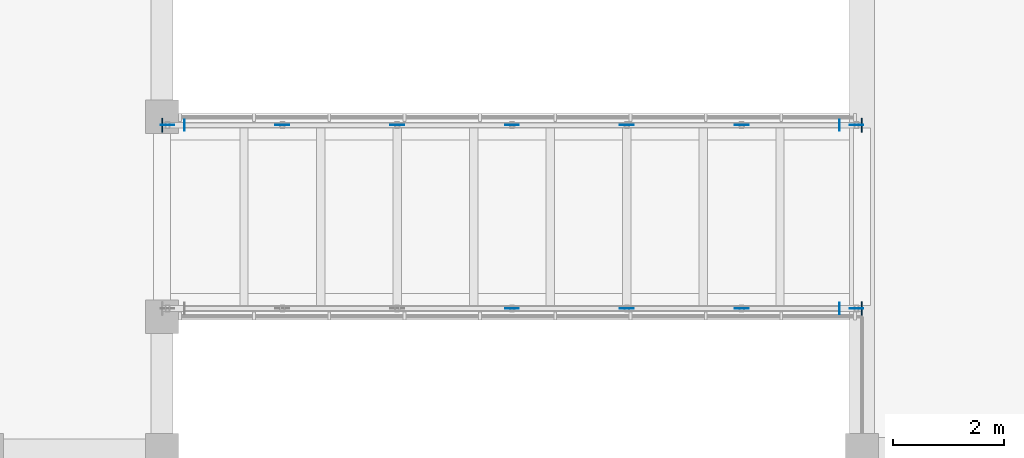
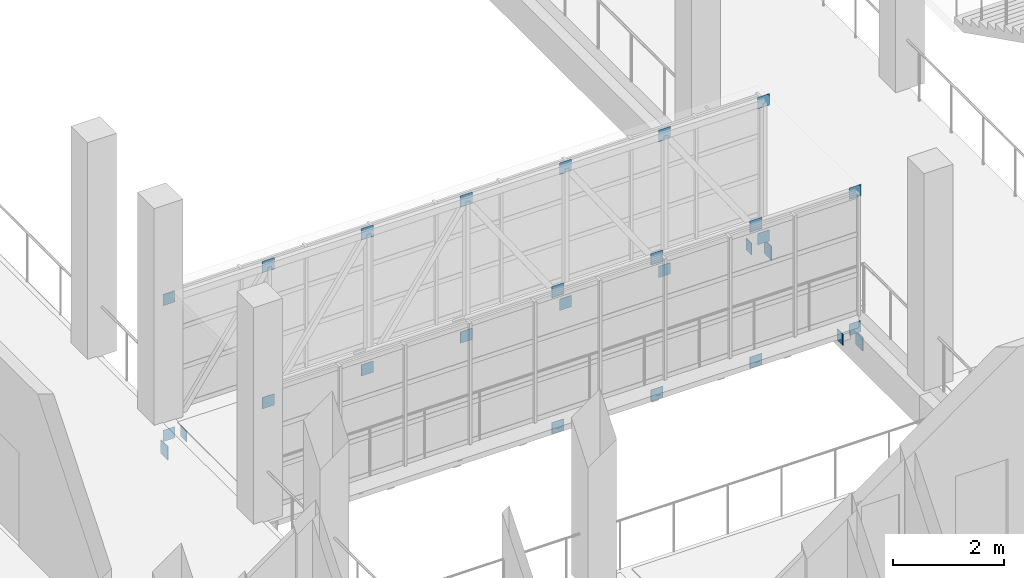
# One storey, part 39 of 86: 28 plates.
"""IFC4 building model written with IfcOpenShell, lengths in metres."""

from ifc_helpers import new_model, si_unit, direction, frame, origin, origin_2d, place, context, subcontext, project, spatial, rectangle, extrude, material, layer, layer_set, type_object, element, save


model = new_model("IFC4")

# Units and contexts
model_context = context("Model", 3, precision=1e-05, world=origin(), true_north=direction((0.0, 1.0)))
body_context = subcontext(model_context, "Body", "Model", "MODEL_VIEW")
ifc_project = project(units=[si_unit("LENGTHUNIT", "METRE"), si_unit("AREAUNIT", "SQUARE_METRE"), si_unit("VOLUMEUNIT", "CUBIC_METRE"), si_unit("PLANEANGLEUNIT", "RADIAN"), si_unit("MASSUNIT", "GRAM", prefix="KILO")], contexts=[model_context])

# Site, building, storey
site_placement = place(None, origin())
site = spatial("IfcSite", under=ifc_project, at=site_placement, CompositionType="ELEMENT")
building_placement = place(site_placement, origin())
building = spatial("IfcBuilding", under=site, at=building_placement, Name="Kiln Court Media Centre", CompositionType="ELEMENT")
storey_placement = place(building_placement, frame((0.0, 0.0, 10.199951171875)))
storey = spatial("IfcBuildingStorey", under=building, at=storey_placement, Name="L02", CompositionType="ELEMENT", Elevation=10.199951171875)

# Plates
ifc_material_1 = material(Name="Steel ASTM A572 Gr 50", Category="steel")
ifc_layer_1 = layer(ifc_material_1, 0.011962890625)
ifc_layer_set_1 = layer_set([ifc_layer_1], Name="Steel ASTM A572 Gr 50 12x200x250 connection plate")
plate_type_1 = type_object("IfcPlateType", Name="Steel ASTM A572 Gr 50 12x200x250 connection plate", PredefinedType="USERDEFINED", material=ifc_layer_set_1)
for number, where, z_axis, x_axis, name in (
    (1, (49.993896484375, 36.14990234375, -0.619873046875), (0.0, 0.0, 1.0), (1.0, 0.0, 0.0), "bridge BR-L02-FOY-11 side truss 1 end 2 seat beam connection plate"),
    (2, (38.2060546875, 39.449951171875, -0.619873046875), (0.0, 0.0, 1.0), (1.0, 0.0, 0.0), "bridge BR-L02-FOY-11 side truss 2 end 1 seat beam connection plate"),
    (3, (49.993896484375, 39.449951171875, -0.619873046875), (0.0, 0.0, 1.0), (1.0, 0.0, 0.0), "bridge BR-L02-FOY-11 side truss 2 end 2 seat beam connection plate"),
):
    element("IfcPlate", number, at=place(storey_placement, frame(where, z_axis=z_axis, x_axis=x_axis)), inside=storey, type_object=plate_type_1, Name=name, ObjectType="CONNECTION PLATE", PredefinedType="USERDEFINED", context=body_context, shape_type="SweptSolid", body=[
        extrude(rectangle(XDim=0.011962890625, YDim=0.199951171875, at=origin_2d()), origin(), (0.0, 0.0, 1.0), 0.25),
    ])
ifc_material_2 = material(Name="Steel ASTM A572 Gr 50", Category="steel")
ifc_layer_2 = layer(ifc_material_2, 0.02001953125)
ifc_layer_set_2 = layer_set([ifc_layer_2], Name="Steel ASTM A572 Gr 50 20x250x300 seat bracket plate")
plate_type_2 = type_object("IfcPlateType", Name="Steel ASTM A572 Gr 50 20x250x300 seat bracket plate", PredefinedType="USERDEFINED", material=ifc_layer_set_2)
for number, where, z_axis, x_axis, name in (
    (4, (50.39501953125, 36.14990234375, -0.8662109375), (0.0, 0.0, 1.0), (1.0, 0.0, 0.0), "bridge BR-L02-FOY-11 side truss 1 end 2 seat bracket plate"),
    (5, (37.804931640625, 39.449951171875, -0.8662109375), (0.0, 0.0, 1.0), (1.0, 0.0, 0.0), "bridge BR-L02-FOY-11 side truss 2 end 1 seat bracket plate"),
    (6, (50.39501953125, 39.449951171875, -0.8662109375), (0.0, 0.0, 1.0), (1.0, 0.0, 0.0), "bridge BR-L02-FOY-11 side truss 2 end 2 seat bracket plate"),
):
    element("IfcPlate", number, at=place(storey_placement, frame(where, z_axis=z_axis, x_axis=x_axis)), inside=storey, type_object=plate_type_2, Name=name, ObjectType="SEAT BRACKET PLATE", PredefinedType="USERDEFINED", context=body_context, shape_type="SweptSolid", body=[
        extrude(rectangle(XDim=0.02001953125, YDim=0.25, at=origin_2d()), origin(), (0.0, 0.0, 1.0), 0.300048828125),
    ])
ifc_material_3 = material(Name="Steel ASTM A572 Gr 50", Category="steel")
ifc_layer_3 = layer(ifc_material_3, 0.010009765625)
ifc_layer_set_3 = layer_set([ifc_layer_3], Name="Steel ASTM A572 Gr 50 250x250x10 connection plate BR")
plate_type_3 = type_object("IfcPlateType", Name="Steel ASTM A572 Gr 50 250x250x10 connection plate BR", PredefinedType="USERDEFINED", material=ifc_layer_set_3)
for number, where, z_axis, x_axis, name in (
    (7, (37.89990234375, 39.449951171875, -0.52490234375), (0.0, 0.0, 1.0), (1.0, 0.0, 0.0), "BR node connection plate"),
    (8, (37.89990234375, 39.449951171875, 2.47509765625), (0.0, 0.0, 1.0), (1.0, 0.0, 0.0), "BR node connection plate"),
    (9, (39.966796875, 39.449951171875, -0.52490234375), (0.0, 0.0, 1.0), (1.0, 0.0, 0.0), "BR node connection plate"),
    (10, (39.966796875, 39.449951171875, 2.47509765625), (0.0, 0.0, 1.0), (1.0, 0.0, 0.0), "BR node connection plate"),
    (11, (42.033203125, 39.449951171875, -0.52490234375), (0.0, 0.0, 1.0), (1.0, 0.0, 0.0), "BR node connection plate"),
    (12, (42.033203125, 39.449951171875, 2.47509765625), (0.0, 0.0, 1.0), (1.0, 0.0, 0.0), "BR node connection plate"),
    (13, (44.10009765625, 36.14990234375, -0.52490234375), (0.0, 0.0, 1.0), (1.0, 0.0, 0.0), "BR node connection plate"),
    (14, (44.10009765625, 36.14990234375, 2.47509765625), (0.0, 0.0, 1.0), (1.0, 0.0, 0.0), "BR node connection plate"),
    (15, (44.10009765625, 39.449951171875, -0.52490234375), (0.0, 0.0, 1.0), (1.0, 0.0, 0.0), "BR node connection plate"),
    (16, (44.10009765625, 39.449951171875, 2.47509765625), (0.0, 0.0, 1.0), (1.0, 0.0, 0.0), "BR node connection plate"),
    (17, (46.166748046875, 36.14990234375, -0.52490234375), (0.0, 0.0, 1.0), (1.0, 0.0, 0.0), "BR node connection plate"),
    (18, (46.166748046875, 36.14990234375, 2.47509765625), (0.0, 0.0, 1.0), (1.0, 0.0, 0.0), "BR node connection plate"),
    (19, (46.166748046875, 39.449951171875, -0.52490234375), (0.0, 0.0, 1.0), (1.0, 0.0, 0.0), "BR node connection plate"),
    (20, (46.166748046875, 39.449951171875, 2.47509765625), (0.0, 0.0, 1.0), (1.0, 0.0, 0.0), "BR node connection plate"),
    (21, (48.2333984375, 36.14990234375, -0.52490234375), (0.0, 0.0, 1.0), (1.0, 0.0, 0.0), "BR node connection plate"),
    (22, (48.2333984375, 36.14990234375, 2.47509765625), (0.0, 0.0, 1.0), (1.0, 0.0, 0.0), "BR node connection plate"),
    (23, (48.2333984375, 39.449951171875, -0.52490234375), (0.0, 0.0, 1.0), (1.0, 0.0, 0.0), "BR node connection plate"),
    (24, (48.2333984375, 39.449951171875, 2.47509765625), (0.0, 0.0, 1.0), (1.0, 0.0, 0.0), "BR node connection plate"),
    (25, (50.300048828125, 36.14990234375, -0.52490234375), (0.0, 0.0, 1.0), (1.0, 0.0, 0.0), "BR node connection plate"),
    (26, (50.300048828125, 36.14990234375, 2.47509765625), (0.0, 0.0, 1.0), (1.0, 0.0, 0.0), "BR node connection plate"),
    (27, (50.300048828125, 39.449951171875, -0.52490234375), (0.0, 0.0, 1.0), (1.0, 0.0, 0.0), "BR node connection plate"),
    (28, (50.300048828125, 39.449951171875, 2.47509765625), (0.0, 0.0, 1.0), (1.0, 0.0, 0.0), "BR node connection plate"),
):
    element("IfcPlate", number, at=place(storey_placement, frame(where, z_axis=z_axis, x_axis=x_axis)), inside=storey, type_object=plate_type_3, Name=name, ObjectType="CONNECTION PLATE", PredefinedType="USERDEFINED", context=body_context, shape_type="SweptSolid", body=[
        extrude(rectangle(XDim=0.25, YDim=0.010009765625, at=origin_2d()), origin(), (0.0, 0.0, 1.0), 0.25),
    ])

save(model, "model.ifc")
